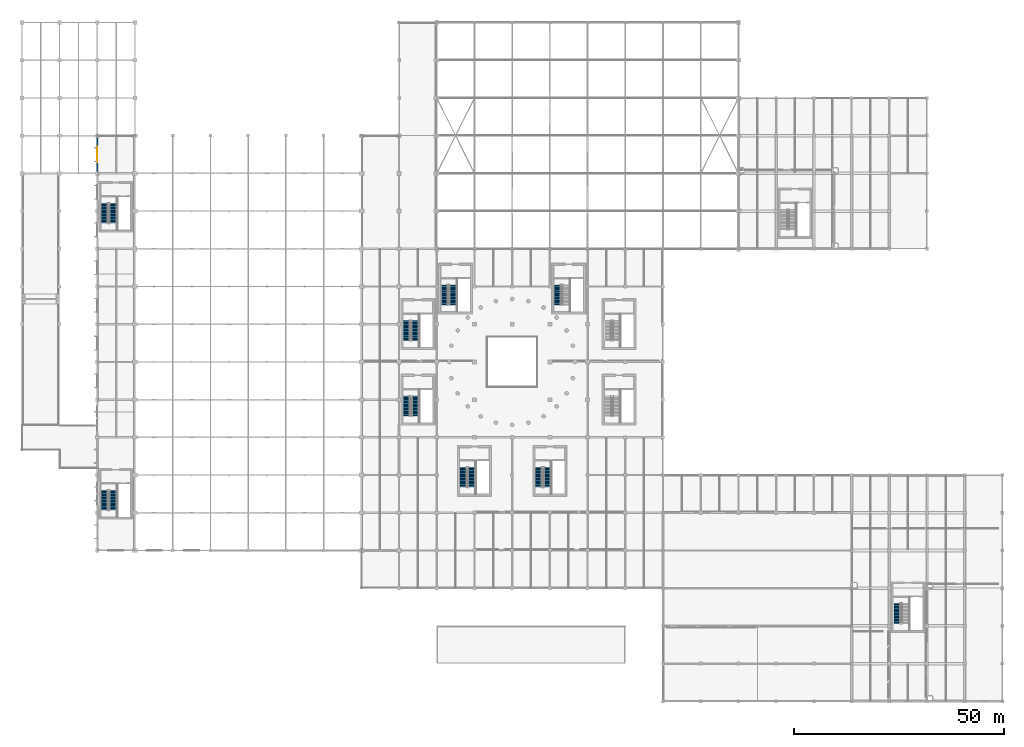
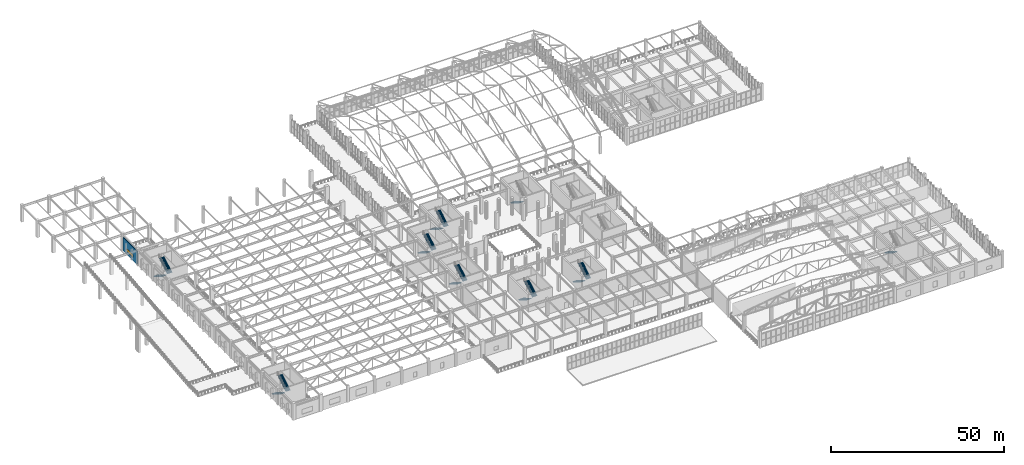
# One storey, part 195 of 223: 16 stair flights, 1 wall, 1 window, 1 opening, 9 elements without a shape of their own.
"""IFC4 building model written with IfcOpenShell, lengths in metres."""

import ifcopenshell
import ifcopenshell.guid

model = None  # the IFC model being written
_history = None  # IfcOwnerHistory: only IFC2X3 demands one
_inside = {}  # id of a spatial element -> (the spatial element, [elements in it])
_under = {}  # id of a project, library or spatial element -> (it, [spatial elements below it])
_declared = {}  # id of a project -> (the project, [libraries it declares])
_typed = {}  # id of a type object -> (the type object, [elements of that type])
_made_of = {}  # id of a material, layer set ... -> (it, [elements and type objects made of it])


def new_model(schema):
    """Start an empty IFC model of exactly this schema.

    Asked for "IFC4X3", IfcOpenShell would pick the latest addendum, in which some entities
    have other attributes; the version numbers below select the first issue.
    IFC2X3 requires an IfcOwnerHistory on every rooted entity: one is made here for all.
    """
    global model, _history
    if schema == "IFC4X3":
        model = ifcopenshell.file(schema_version=(4, 3, 0, 0))
    else:
        model = ifcopenshell.file(schema=schema)
    _inside.clear()
    _under.clear()
    _declared.clear()
    _typed.clear()
    _made_of.clear()
    _history = None
    if model.schema == "IFC2X3":
        org = make("IfcOrganization", Name="unknown")
        user = make(
            "IfcPersonAndOrganization",
            ThePerson=make("IfcPerson", FamilyName="unknown"),
            TheOrganization=org,
        )
        app = make(
            "IfcApplication",
            ApplicationDeveloper=org,
            Version="unknown",
            ApplicationFullName="unknown",
            ApplicationIdentifier="unknown",
        )
        _history = make(
            "IfcOwnerHistory",
            OwningUser=user,
            OwningApplication=app,
            ChangeAction="ADDED",
            CreationDate=0,
        )
    return model


def make(cls, **values):
    """One entity of the class cls with the attributes given. An attribute that is None is left unset."""
    return model.create_entity(
        cls, **{name: value for name, value in values.items() if value is not None}
    )


def rooted(cls, **values):
    """An entity with a GlobalId (a new one), such as an element, a storey or a relation."""
    return make(cls, GlobalId=ifcopenshell.guid.new(), OwnerHistory=_history, **values)


def si_unit(unit_type, name, prefix=None):
    """IfcSIUnit, for example si_unit("LENGTHUNIT", "METRE", prefix="MILLI")."""
    return make("IfcSIUnit", UnitType=unit_type, Prefix=prefix, Name=name)


def assignment(units):
    """IfcUnitAssignment: the units of a project."""
    return None if units is None else make("IfcUnitAssignment", Units=units)


def point(xyz):
    """IfcCartesianPoint."""
    return None if xyz is None else make("IfcCartesianPoint", Coordinates=xyz)


def direction(xyz):
    """IfcDirection."""
    return None if xyz is None else make("IfcDirection", DirectionRatios=xyz)


def frame(location, z_axis=None, x_axis=None):
    """IfcAxis2Placement3D, a coordinate frame: its origin and axes. An axis left out is left unset."""
    return make(
        "IfcAxis2Placement3D",
        Location=point(location),
        Axis=direction(z_axis),
        RefDirection=direction(x_axis),
    )


def frame_2d(location, x_axis=None):
    """IfcAxis2Placement2D, a coordinate frame in the plane: its origin and x axis."""
    return make(
        "IfcAxis2Placement2D", Location=point(location), RefDirection=direction(x_axis)
    )


def origin():
    """The frame at (0, 0, 0) with its axes left unset."""
    return frame((0.0, 0.0, 0.0))


def place(relative_to, where):
    """IfcLocalPlacement: puts the frame where relative to a parent placement (None: the world)."""
    return make(
        "IfcLocalPlacement", PlacementRelTo=relative_to, RelativePlacement=where
    )


def context(
    kind, dimensions, precision=None, world=None, true_north=None, identifier=None
):
    """IfcGeometricRepresentationContext, for example the 3D "Model" context."""
    return make(
        "IfcGeometricRepresentationContext",
        ContextIdentifier=identifier,
        ContextType=kind,
        CoordinateSpaceDimension=dimensions,
        Precision=precision,
        WorldCoordinateSystem=world,
        TrueNorth=true_north,
    )


def subcontext(parent, identifier, kind, view, scale=None):
    """IfcGeometricRepresentationSubContext, for example "Body" below "Model"."""
    return make(
        "IfcGeometricRepresentationSubContext",
        ContextIdentifier=identifier,
        ContextType=kind,
        ParentContext=parent,
        TargetScale=scale,
        TargetView=view,
    )


def project(units=None, contexts=None):
    """IfcProject with its units and contexts."""
    return rooted(
        "IfcProject",
        Name="project",
        RepresentationContexts=contexts,
        UnitsInContext=assignment(units),
    )


def spatial(cls, under=None, at=None, **own):
    """A site, building, storey or space (cls), placed at a placement, below another one or the project."""
    s = rooted(cls, ObjectPlacement=at, **own)
    if under is not None:
        _under.setdefault(under.id(), (under, []))[1].append(s)
    return s


def polyline(points):
    """IfcPolyline through the points."""
    return make("IfcPolyline", Points=[point(p) for p in points])


def profile(cls, at=None, kind="AREA", **sizes):
    """A parametric profile (cls). Its sizes go by their IFC names, for example OverallWidth=200.0."""
    return make(cls, ProfileType=kind, Position=at, **sizes)


def rectangle(**sizes):
    """IfcRectangleProfileDef."""
    return profile("IfcRectangleProfileDef", **sizes)


def outline(outer, holes=None, kind="AREA"):
    """IfcArbitraryClosedProfileDef: a profile drawn as a closed curve; with holes, ...WithVoids."""
    if holes is None:
        return make("IfcArbitraryClosedProfileDef", ProfileType=kind, OuterCurve=outer)
    return make(
        "IfcArbitraryProfileDefWithVoids",
        ProfileType=kind,
        OuterCurve=outer,
        InnerCurves=holes,
    )


def extrude(swept, where, along, depth):
    """IfcExtrudedAreaSolid: the profile swept, set in the frame where, extruded along a direction by depth."""
    return make(
        "IfcExtrudedAreaSolid",
        SweptArea=swept,
        Position=where,
        ExtrudedDirection=direction(along),
        Depth=depth,
    )


def shape(context_of_items, identifier, shape_type, items):
    """IfcShapeRepresentation: the items that make up one representation, for example the "Body"."""
    return make(
        "IfcShapeRepresentation",
        ContextOfItems=context_of_items,
        RepresentationIdentifier=identifier,
        RepresentationType=shape_type,
        Items=items,
    )


def material(Name=None, Category=None):
    """IfcMaterial."""
    return make("IfcMaterial", Name=Name, Category=Category)


def layer(
    of_material, thickness, ventilated=None, Name=None, Category=None, Priority=None
):
    """IfcMaterialLayer: one layer of a wall or slab, of a material (None: an air gap)."""
    return make(
        "IfcMaterialLayer",
        Material=of_material,
        LayerThickness=thickness,
        IsVentilated=ventilated,
        Name=Name,
        Category=Category,
        Priority=Priority,
    )


def layer_set(layers, Name=None):
    """IfcMaterialLayerSet."""
    return make("IfcMaterialLayerSet", MaterialLayers=layers, LayerSetName=Name)


def made_of(thing, what):
    """Note that an element or type object is made of a material, layer set ...; save() writes the relation."""
    if what is not None:
        _made_of.setdefault(what.id(), (what, []))[1].append(thing)
    return thing


def type_object(cls, material=None, **own):
    """A type object (cls), such as IfcWallType, which elements share."""
    return made_of(rooted(cls, **own), material)


def element(
    cls,
    number,
    at=None,
    inside=None,
    cuts=None,
    type_object=None,
    material=None,
    context=None,
    identifier="Body",
    shape_type=None,
    held_by="IfcProductDefinitionShape",
    body=None,
    shapes=None,
    **own,
):
    """One element of the class cls, such as IfcWall. Its Tag is "e" and its number.

    at: its placement. inside: the storey or other place that contains it. cuts: it is an
    opening in that element (IfcRelVoidsElement). A single representation is given by context,
    identifier, shape_type and body (its items); several are given by shapes. held_by: the class
    of the entity that holds the representations. save() writes the other relations.
    """
    e = rooted(cls, Tag="e%d" % number, ObjectPlacement=at, **own)
    if body is not None:
        shapes = [shape(context, identifier, shape_type, body)]
    if shapes is not None:
        e.Representation = make(held_by, Representations=shapes)
    if inside is not None:
        _inside.setdefault(inside.id(), (inside, []))[1].append(e)
    if cuts is not None:
        rooted(
            "IfcRelVoidsElement", RelatingBuildingElement=cuts, RelatedOpeningElement=e
        )
    if type_object is not None:
        _typed.setdefault(type_object.id(), (type_object, []))[1].append(e)
    return made_of(e, material)


def fill(opening, filler):
    """IfcRelFillsElement: the door or window that sits in an opening."""
    return rooted(
        "IfcRelFillsElement",
        RelatingOpeningElement=opening,
        RelatedBuildingElement=filler,
    )


def aggregate(whole, parts):
    """IfcRelAggregates: a whole, such as a stair, and the parts it consists of."""
    return rooted("IfcRelAggregates", RelatingObject=whole, RelatedObjects=parts)


def save(model, path):
    """Write the relations noted so far, then the file.

    IfcRelAggregates (storeys below a building ...), IfcRelContainedInSpatialStructure (elements
    in a storey), IfcRelDefinesByType, IfcRelAssociatesMaterial and IfcRelDeclares: one each for
    every whole, place, type object, material and project.
    """
    for whole, parts in _under.values():
        aggregate(whole, parts)
    for where, things in _inside.values():
        rooted(
            "IfcRelContainedInSpatialStructure",
            RelatedElements=things,
            RelatingStructure=where,
        )
    for kind, things in _typed.values():
        rooted("IfcRelDefinesByType", RelatedObjects=things, RelatingType=kind)
    for what, things in _made_of.values():
        rooted("IfcRelAssociatesMaterial", RelatedObjects=things, RelatingMaterial=what)
    for by, libraries in _declared.values():
        rooted("IfcRelDeclares", RelatingContext=by, RelatedDefinitions=libraries)
    model.write(path)


model = new_model("IFC4")

# Units and contexts
model_context = context("Model", 3, precision=1e-05, world=origin(), true_north=direction((0.0, 1.0)))
body_context = subcontext(model_context, "Body", "Model", "MODEL_VIEW")
ifc_project = project(units=[si_unit("LENGTHUNIT", "METRE"), si_unit("AREAUNIT", "SQUARE_METRE"), si_unit("VOLUMEUNIT", "CUBIC_METRE"), si_unit("PLANEANGLEUNIT", "RADIAN"), si_unit("MASSUNIT", "GRAM", prefix="KILO")], contexts=[model_context])

# Site, building, storey
site_placement = place(None, origin())
site = spatial("IfcSite", under=ifc_project, at=site_placement, CompositionType="ELEMENT")
building_placement = place(site_placement, origin())
building = spatial("IfcBuilding", under=site, at=building_placement, Name="Dornveld Trade and Exhibition Forum", CompositionType="ELEMENT")
storey_placement = place(building_placement, frame((0.0, 0.0, 6.0)))
storey = spatial("IfcBuildingStorey", under=building, at=storey_placement, Name="L01", CompositionType="ELEMENT", Elevation=6.0)

# Wall, opening, window
ifc_material_1 = material(Name="Precast concrete C50/60", Category="concrete")
ifc_layer_1 = layer(ifc_material_1, 0.340087890625)
ifc_layer_set_1 = layer_set([ifc_layer_1], Name="Precast concrete C50/60")
wall_type = type_object("IfcWallType", Name="WL-EXT-PC340", PredefinedType="SOLIDWALL", material=ifc_layer_set_1)
wall_placement = place(storey_placement, frame((18.0, 134.550537109375, 0.0), z_axis=(0.0, 0.0, 1.0), x_axis=(0.0, -1.0, 0.0)))
wall = element("IfcWall", 1, at=wall_placement, inside=storey, type_object=wall_type, Name="L01 precast facade wall 77", PredefinedType="SOLIDWALL", context=body_context, shape_type="SweptSolid", body=[
    extrude(rectangle(XDim=8.10107421875, YDim=0.340087890625, at=frame_2d((4.050537109375, 0.0))), origin(), (0.0, 0.0, 1.0), 4.659912109375),
])
opening_placement = place(wall_placement, frame((2.25048828125, 0.0, 1.0)))
opening = element("IfcOpeningElement", 2, at=opening_placement, cuts=wall, Name="Opening W-57", PredefinedType="OPENING", context=body_context, shape_type="SweptSolid", body=[
    extrude(rectangle(XDim=3.60009765625, YDim=1.10009765625, at=frame_2d((1.800048828125, 0.550048828125))), frame((0.0, 0.179931640625, 0.0), z_axis=(0.0, -1.0, 0.0), x_axis=(1.0, 0.0, 0.0)), (0.0, 0.0, 1.0), 0.360107421875),
])
ifc_material_2 = material(Name="Dark-bronze anodised aluminium and low-E glass", Category="aluminium")
window_type = type_object("IfcWindowType", Name="WIN-AL-57", PartitioningType="DOUBLE_PANEL_VERTICAL", PredefinedType="WINDOW", material=ifc_material_2)
window_placement = place(opening_placement, origin())
window = element("IfcWindow", 3, at=window_placement, inside=storey, type_object=window_type, Name="L01 facade window 57", OverallHeight=1.10009765625, OverallWidth=3.60009765625, PartitioningType="SINGLE_PANEL", PredefinedType="WINDOW", context=body_context, shape_type="SweptSolid", body=[
    extrude(rectangle(XDim=3.60009765625, YDim=1.10009765625, at=frame_2d((1.800048828125, 0.550048828125))), frame((0.0, 0.030029296875, 0.0), z_axis=(0.0, -1.0, 0.0), x_axis=(1.0, 0.0, 0.0)), (0.0, 0.0, 1.0), 0.06005859375),
])
fill(opening, window)

# Stair, stair flights
ifc_material_3 = material(Name="Concrete C40/50", Category="concrete")
stair_type_1 = type_object("IfcStairType", Name="ST-2RET-600A", PredefinedType="HALF_TURN_STAIR", material=ifc_material_3)
stair_1_placement = place(storey_placement, origin())
stair_1 = element("IfcStair", 4, at=stair_1_placement, inside=storey, type_object=stair_type_1, Name="CORE-03 escape stair L01 to L02", PredefinedType="HALF_TURN_STAIR")
ifc_material_4 = material(Name="Concrete C40/50", Category="concrete")
ifc_layer_2 = layer(ifc_material_4, 0.179931640625)
ifc_layer_set_2 = layer_set([ifc_layer_2], Name="Concrete C40/50")
stair_flight_type_1 = type_object("IfcStairFlightType", Name="STF-155", PredefinedType="STRAIGHT", material=ifc_layer_set_2)
stair_flight_1_placement = place(storey_placement, frame((100.8798828125, 99.35009765625, 0.0), z_axis=(0.0, 0.0, 1.0), x_axis=(0.0, -1.0, 0.0)))
stair_flight_1 = element("IfcStairFlight", 5, at=stair_flight_1_placement, type_object=stair_flight_type_1, Name="ST-03-L01 flight 1", NumberOfRisers=18, NumberOfTreads=17, PredefinedType="STRAIGHT", RiserHeight=0.166666667, TreadLength=0.28, context=body_context, shape_type="SweptSolid", body=[
    extrude(outline(polyline([(0.0, 0.0), (0.0, 0.166748046875), (0.280029296875, 0.166748046875), (0.280029296875, 0.333251953125), (0.56005859375, 0.333251953125), (0.56005859375, 0.5), (0.840087890625, 0.5), (0.840087890625, 0.666748046875), (1.1201171875, 0.666748046875), (1.1201171875, 0.833251953125), (1.39990234375, 0.833251953125), (1.39990234375, 1.0), (1.679931640625, 1.0), (1.679931640625, 1.166748046875), (1.9599609375, 1.166748046875), (1.9599609375, 1.333251953125), (2.239990234375, 1.333251953125), (2.239990234375, 1.5), (2.52001953125, 1.5), (2.52001953125, 1.666748046875), (2.800048828125, 1.666748046875), (2.800048828125, 1.833251953125), (3.080078125, 1.833251953125), (3.080078125, 2.0), (3.360107421875, 2.0), (3.360107421875, 2.166748046875), (3.639892578125, 2.166748046875), (3.639892578125, 2.333251953125), (3.919921875, 2.333251953125), (3.919921875, 2.5), (4.199951171875, 2.5), (4.199951171875, 2.666748046875), (4.47998046875, 2.666748046875), (4.47998046875, 2.833251953125), (4.760009765625, 2.833251953125), (4.760009765625, 3.0), (4.760009765625, 2.647216796875), (0.312744140625, 0.0), (0.0, 0.0)])), frame((0.0, 0.77490234375, 0.0), z_axis=(0.0, -1.0, 0.0), x_axis=(1.0, 0.0, 0.0)), (0.0, 0.0, 1.0), 1.550048828125),
])
stair_flight_2_placement = place(storey_placement, frame((102.820068359375, 94.590087890625, 3.0), z_axis=(0.0, 0.0, 1.0), x_axis=(0.0, 1.0, 0.0)))
stair_flight_2 = element("IfcStairFlight", 6, at=stair_flight_2_placement, type_object=stair_flight_type_1, Name="ST-03-L01 flight 2", NumberOfRisers=18, NumberOfTreads=17, PredefinedType="STRAIGHT", RiserHeight=0.166666667, TreadLength=0.28, context=body_context, shape_type="SweptSolid", body=[
    extrude(outline(polyline([(0.0, 0.0), (0.0, 0.166748046875), (0.280029296875, 0.166748046875), (0.280029296875, 0.333251953125), (0.56005859375, 0.333251953125), (0.56005859375, 0.5), (0.840087890625, 0.5), (0.840087890625, 0.666748046875), (1.1201171875, 0.666748046875), (1.1201171875, 0.833251953125), (1.39990234375, 0.833251953125), (1.39990234375, 1.0), (1.679931640625, 1.0), (1.679931640625, 1.166748046875), (1.9599609375, 1.166748046875), (1.9599609375, 1.333251953125), (2.239990234375, 1.333251953125), (2.239990234375, 1.5), (2.52001953125, 1.5), (2.52001953125, 1.666748046875), (2.800048828125, 1.666748046875), (2.800048828125, 1.833251953125), (3.080078125, 1.833251953125), (3.080078125, 2.0), (3.360107421875, 2.0), (3.360107421875, 2.166748046875), (3.639892578125, 2.166748046875), (3.639892578125, 2.333251953125), (3.919921875, 2.333251953125), (3.919921875, 2.5), (4.199951171875, 2.5), (4.199951171875, 2.666748046875), (4.47998046875, 2.666748046875), (4.47998046875, 2.833251953125), (4.760009765625, 2.833251953125), (4.760009765625, 3.0), (4.760009765625, 2.647216796875), (0.312744140625, 0.0), (0.0, 0.0)])), frame((0.0, 0.77490234375, 0.0), z_axis=(0.0, -1.0, 0.0), x_axis=(1.0, 0.0, 0.0)), (0.0, 0.0, 1.0), 1.550048828125),
])
aggregate(stair_1, [stair_flight_1, stair_flight_2])

stair_2_placement = place(storey_placement, origin())
stair_2 = element("IfcStair", 7, at=stair_2_placement, inside=storey, type_object=stair_type_1, Name="CORE-05 escape stair L01 to L02", PredefinedType="HALF_TURN_STAIR")
stair_flight_3_placement = place(storey_placement, frame((91.8798828125, 72.85009765625, 0.0), z_axis=(0.0, 0.0, 1.0), x_axis=(0.0, -1.0, 0.0)))
stair_flight_3 = element("IfcStairFlight", 8, at=stair_flight_3_placement, type_object=stair_flight_type_1, Name="ST-05-L01 flight 1", NumberOfRisers=18, NumberOfTreads=17, PredefinedType="STRAIGHT", RiserHeight=0.166666667, TreadLength=0.28, context=body_context, shape_type="SweptSolid", body=[
    extrude(outline(polyline([(0.0, 0.0), (0.0, 0.166748046875), (0.280029296875, 0.166748046875), (0.280029296875, 0.333251953125), (0.56005859375, 0.333251953125), (0.56005859375, 0.5), (0.840087890625, 0.5), (0.840087890625, 0.666748046875), (1.1201171875, 0.666748046875), (1.1201171875, 0.833251953125), (1.39990234375, 0.833251953125), (1.39990234375, 1.0), (1.679931640625, 1.0), (1.679931640625, 1.166748046875), (1.9599609375, 1.166748046875), (1.9599609375, 1.333251953125), (2.239990234375, 1.333251953125), (2.239990234375, 1.5), (2.52001953125, 1.5), (2.52001953125, 1.666748046875), (2.800048828125, 1.666748046875), (2.800048828125, 1.833251953125), (3.080078125, 1.833251953125), (3.080078125, 2.0), (3.360107421875, 2.0), (3.360107421875, 2.166748046875), (3.639892578125, 2.166748046875), (3.639892578125, 2.333251953125), (3.919921875, 2.333251953125), (3.919921875, 2.5), (4.199951171875, 2.5), (4.199951171875, 2.666748046875), (4.47998046875, 2.666748046875), (4.47998046875, 2.833251953125), (4.760009765625, 2.833251953125), (4.760009765625, 3.0), (4.760009765625, 2.647216796875), (0.312744140625, 0.0), (0.0, 0.0)])), frame((0.0, 0.77490234375, 0.0), z_axis=(0.0, -1.0, 0.0), x_axis=(1.0, 0.0, 0.0)), (0.0, 0.0, 1.0), 1.550048828125),
])
stair_flight_4_placement = place(storey_placement, frame((93.820068359375, 68.090087890625, 3.0), z_axis=(0.0, 0.0, 1.0), x_axis=(0.0, 1.0, 0.0)))
stair_flight_4 = element("IfcStairFlight", 9, at=stair_flight_4_placement, type_object=stair_flight_type_1, Name="ST-05-L01 flight 2", NumberOfRisers=18, NumberOfTreads=17, PredefinedType="STRAIGHT", RiserHeight=0.166666667, TreadLength=0.28, context=body_context, shape_type="SweptSolid", body=[
    extrude(outline(polyline([(0.0, 0.0), (0.0, 0.166748046875), (0.280029296875, 0.166748046875), (0.280029296875, 0.333251953125), (0.56005859375, 0.333251953125), (0.56005859375, 0.5), (0.840087890625, 0.5), (0.840087890625, 0.666748046875), (1.1201171875, 0.666748046875), (1.1201171875, 0.833251953125), (1.39990234375, 0.833251953125), (1.39990234375, 1.0), (1.679931640625, 1.0), (1.679931640625, 1.166748046875), (1.9599609375, 1.166748046875), (1.9599609375, 1.333251953125), (2.239990234375, 1.333251953125), (2.239990234375, 1.5), (2.52001953125, 1.5), (2.52001953125, 1.666748046875), (2.800048828125, 1.666748046875), (2.800048828125, 1.833251953125), (3.080078125, 1.833251953125), (3.080078125, 2.0), (3.360107421875, 2.0), (3.360107421875, 2.166748046875), (3.639892578125, 2.166748046875), (3.639892578125, 2.333251953125), (3.919921875, 2.333251953125), (3.919921875, 2.5), (4.199951171875, 2.5), (4.199951171875, 2.666748046875), (4.47998046875, 2.666748046875), (4.47998046875, 2.833251953125), (4.760009765625, 2.833251953125), (4.760009765625, 3.0), (4.760009765625, 2.647216796875), (0.312744140625, 0.0), (0.0, 0.0)])), frame((0.0, 0.77490234375, 0.0), z_axis=(0.0, -1.0, 0.0), x_axis=(1.0, 0.0, 0.0)), (0.0, 0.0, 1.0), 1.550048828125),
])
aggregate(stair_2, [stair_flight_3, stair_flight_4])

stair_3_placement = place(storey_placement, origin())
stair_3 = element("IfcStair", 10, at=stair_3_placement, inside=storey, type_object=stair_type_1, Name="CORE-07 escape stair L01 to L02", PredefinedType="HALF_TURN_STAIR")
stair_flight_5_placement = place(storey_placement, frame((123.3798828125, 55.85009765625, 0.0), z_axis=(0.0, 0.0, 1.0), x_axis=(0.0, -1.0, 0.0)))
stair_flight_5 = element("IfcStairFlight", 11, at=stair_flight_5_placement, type_object=stair_flight_type_1, Name="ST-07-L01 flight 1", NumberOfRisers=18, NumberOfTreads=17, PredefinedType="STRAIGHT", RiserHeight=0.166666667, TreadLength=0.28, context=body_context, shape_type="SweptSolid", body=[
    extrude(outline(polyline([(0.0, 0.0), (0.0, 0.166748046875), (0.280029296875, 0.166748046875), (0.280029296875, 0.333251953125), (0.56005859375, 0.333251953125), (0.56005859375, 0.5), (0.840087890625, 0.5), (0.840087890625, 0.666748046875), (1.1201171875, 0.666748046875), (1.1201171875, 0.833251953125), (1.39990234375, 0.833251953125), (1.39990234375, 1.0), (1.679931640625, 1.0), (1.679931640625, 1.166748046875), (1.9599609375, 1.166748046875), (1.9599609375, 1.333251953125), (2.239990234375, 1.333251953125), (2.239990234375, 1.5), (2.52001953125, 1.5), (2.52001953125, 1.666748046875), (2.800048828125, 1.666748046875), (2.800048828125, 1.833251953125), (3.080078125, 1.833251953125), (3.080078125, 2.0), (3.360107421875, 2.0), (3.360107421875, 2.166748046875), (3.639892578125, 2.166748046875), (3.639892578125, 2.333251953125), (3.919921875, 2.333251953125), (3.919921875, 2.5), (4.199951171875, 2.5), (4.199951171875, 2.666748046875), (4.47998046875, 2.666748046875), (4.47998046875, 2.833251953125), (4.760009765625, 2.833251953125), (4.760009765625, 3.0), (4.760009765625, 2.647216796875), (0.312744140625, 0.0), (0.0, 0.0)])), frame((0.0, 0.77490234375, 0.0), z_axis=(0.0, -1.0, 0.0), x_axis=(1.0, 0.0, 0.0)), (0.0, 0.0, 1.0), 1.550048828125),
])
stair_flight_6_placement = place(storey_placement, frame((125.320068359375, 51.090087890625, 3.0), z_axis=(0.0, 0.0, 1.0), x_axis=(0.0, 1.0, 0.0)))
stair_flight_6 = element("IfcStairFlight", 12, at=stair_flight_6_placement, type_object=stair_flight_type_1, Name="ST-07-L01 flight 2", NumberOfRisers=18, NumberOfTreads=17, PredefinedType="STRAIGHT", RiserHeight=0.166666667, TreadLength=0.28, context=body_context, shape_type="SweptSolid", body=[
    extrude(outline(polyline([(0.0, 0.0), (0.0, 0.166748046875), (0.280029296875, 0.166748046875), (0.280029296875, 0.333251953125), (0.56005859375, 0.333251953125), (0.56005859375, 0.5), (0.840087890625, 0.5), (0.840087890625, 0.666748046875), (1.1201171875, 0.666748046875), (1.1201171875, 0.833251953125), (1.39990234375, 0.833251953125), (1.39990234375, 1.0), (1.679931640625, 1.0), (1.679931640625, 1.166748046875), (1.9599609375, 1.166748046875), (1.9599609375, 1.333251953125), (2.239990234375, 1.333251953125), (2.239990234375, 1.5), (2.52001953125, 1.5), (2.52001953125, 1.666748046875), (2.800048828125, 1.666748046875), (2.800048828125, 1.833251953125), (3.080078125, 1.833251953125), (3.080078125, 2.0), (3.360107421875, 2.0), (3.360107421875, 2.166748046875), (3.639892578125, 2.166748046875), (3.639892578125, 2.333251953125), (3.919921875, 2.333251953125), (3.919921875, 2.5), (4.199951171875, 2.5), (4.199951171875, 2.666748046875), (4.47998046875, 2.666748046875), (4.47998046875, 2.833251953125), (4.760009765625, 2.833251953125), (4.760009765625, 3.0), (4.760009765625, 2.647216796875), (0.312744140625, 0.0), (0.0, 0.0)])), frame((0.0, 0.77490234375, 0.0), z_axis=(0.0, -1.0, 0.0), x_axis=(1.0, 0.0, 0.0)), (0.0, 0.0, 1.0), 1.550048828125),
])
aggregate(stair_3, [stair_flight_5, stair_flight_6])

stair_4_placement = place(storey_placement, origin())
stair_4 = element("IfcStair", 13, at=stair_4_placement, inside=storey, type_object=stair_type_1, Name="CORE-09 escape stair L01 to L02", PredefinedType="HALF_TURN_STAIR")
stair_flight_7_placement = place(storey_placement, frame((19.780029296875, 50.35009765625, 0.0), z_axis=(0.0, 0.0, 1.0), x_axis=(0.0, -1.0, 0.0)))
stair_flight_7 = element("IfcStairFlight", 14, at=stair_flight_7_placement, type_object=stair_flight_type_1, Name="ST-09-L01 flight 1", NumberOfRisers=18, NumberOfTreads=17, PredefinedType="STRAIGHT", RiserHeight=0.166666667, TreadLength=0.28, context=body_context, shape_type="SweptSolid", body=[
    extrude(outline(polyline([(0.0, 0.0), (0.0, 0.166748046875), (0.280029296875, 0.166748046875), (0.280029296875, 0.333251953125), (0.56005859375, 0.333251953125), (0.56005859375, 0.5), (0.840087890625, 0.5), (0.840087890625, 0.666748046875), (1.1201171875, 0.666748046875), (1.1201171875, 0.833251953125), (1.39990234375, 0.833251953125), (1.39990234375, 1.0), (1.679931640625, 1.0), (1.679931640625, 1.166748046875), (1.9599609375, 1.166748046875), (1.9599609375, 1.333251953125), (2.239990234375, 1.333251953125), (2.239990234375, 1.5), (2.52001953125, 1.5), (2.52001953125, 1.666748046875), (2.800048828125, 1.666748046875), (2.800048828125, 1.833251953125), (3.080078125, 1.833251953125), (3.080078125, 2.0), (3.360107421875, 2.0), (3.360107421875, 2.166748046875), (3.639892578125, 2.166748046875), (3.639892578125, 2.333251953125), (3.919921875, 2.333251953125), (3.919921875, 2.5), (4.199951171875, 2.5), (4.199951171875, 2.666748046875), (4.47998046875, 2.666748046875), (4.47998046875, 2.833251953125), (4.760009765625, 2.833251953125), (4.760009765625, 3.0), (4.760009765625, 2.647216796875), (0.312744140625, 0.0), (0.0, 0.0)])), frame((0.0, 0.77490234375, 0.0), z_axis=(0.0, -1.0, 0.0), x_axis=(1.0, 0.0, 0.0)), (0.0, 0.0, 1.0), 1.550048828125),
])
stair_flight_8_placement = place(storey_placement, frame((21.719970703125, 45.590087890625, 3.0), z_axis=(0.0, 0.0, 1.0), x_axis=(0.0, 1.0, 0.0)))
stair_flight_8 = element("IfcStairFlight", 15, at=stair_flight_8_placement, type_object=stair_flight_type_1, Name="ST-09-L01 flight 2", NumberOfRisers=18, NumberOfTreads=17, PredefinedType="STRAIGHT", RiserHeight=0.166666667, TreadLength=0.28, context=body_context, shape_type="SweptSolid", body=[
    extrude(outline(polyline([(0.0, 0.0), (0.0, 0.166748046875), (0.280029296875, 0.166748046875), (0.280029296875, 0.333251953125), (0.56005859375, 0.333251953125), (0.56005859375, 0.5), (0.840087890625, 0.5), (0.840087890625, 0.666748046875), (1.1201171875, 0.666748046875), (1.1201171875, 0.833251953125), (1.39990234375, 0.833251953125), (1.39990234375, 1.0), (1.679931640625, 1.0), (1.679931640625, 1.166748046875), (1.9599609375, 1.166748046875), (1.9599609375, 1.333251953125), (2.239990234375, 1.333251953125), (2.239990234375, 1.5), (2.52001953125, 1.5), (2.52001953125, 1.666748046875), (2.800048828125, 1.666748046875), (2.800048828125, 1.833251953125), (3.080078125, 1.833251953125), (3.080078125, 2.0), (3.360107421875, 2.0), (3.360107421875, 2.166748046875), (3.639892578125, 2.166748046875), (3.639892578125, 2.333251953125), (3.919921875, 2.333251953125), (3.919921875, 2.5), (4.199951171875, 2.5), (4.199951171875, 2.666748046875), (4.47998046875, 2.666748046875), (4.47998046875, 2.833251953125), (4.760009765625, 2.833251953125), (4.760009765625, 3.0), (4.760009765625, 2.647216796875), (0.312744140625, 0.0), (0.0, 0.0)])), frame((0.0, 0.77490234375, 0.0), z_axis=(0.0, -1.0, 0.0), x_axis=(1.0, 0.0, 0.0)), (0.0, 0.0, 1.0), 1.550048828125),
])
aggregate(stair_4, [stair_flight_7, stair_flight_8])

# Stair, stair flight
stair_5_placement = place(storey_placement, origin())
stair_5 = element("IfcStair", 16, at=stair_5_placement, inside=storey, type_object=stair_type_1, Name="CORE-11 escape stair L01 to L02", PredefinedType="HALF_TURN_STAIR")
stair_flight_9_placement = place(storey_placement, frame((208.8798828125, 23.35009765625, 0.0), z_axis=(0.0, 0.0, 1.0), x_axis=(0.0, -1.0, 0.0)))
stair_flight_9 = element("IfcStairFlight", 17, at=stair_flight_9_placement, type_object=stair_flight_type_1, Name="ST-11-L01 flight 1", NumberOfRisers=18, NumberOfTreads=17, PredefinedType="STRAIGHT", RiserHeight=0.166666667, TreadLength=0.28, context=body_context, shape_type="SweptSolid", body=[
    extrude(outline(polyline([(0.0, 0.0), (0.0, 0.166748046875), (0.280029296875, 0.166748046875), (0.280029296875, 0.333251953125), (0.56005859375, 0.333251953125), (0.56005859375, 0.5), (0.840087890625, 0.5), (0.840087890625, 0.666748046875), (1.1201171875, 0.666748046875), (1.1201171875, 0.833251953125), (1.39990234375, 0.833251953125), (1.39990234375, 1.0), (1.679931640625, 1.0), (1.679931640625, 1.166748046875), (1.9599609375, 1.166748046875), (1.9599609375, 1.333251953125), (2.239990234375, 1.333251953125), (2.239990234375, 1.5), (2.52001953125, 1.5), (2.52001953125, 1.666748046875), (2.800048828125, 1.666748046875), (2.800048828125, 1.833251953125), (3.080078125, 1.833251953125), (3.080078125, 2.0), (3.360107421875, 2.0), (3.360107421875, 2.166748046875), (3.639892578125, 2.166748046875), (3.639892578125, 2.333251953125), (3.919921875, 2.333251953125), (3.919921875, 2.5), (4.199951171875, 2.5), (4.199951171875, 2.666748046875), (4.47998046875, 2.666748046875), (4.47998046875, 2.833251953125), (4.760009765625, 2.833251953125), (4.760009765625, 3.0), (4.760009765625, 2.647216796875), (0.312744140625, 0.0), (0.0, 0.0)])), frame((0.0, 0.77490234375, 0.0), z_axis=(0.0, -1.0, 0.0), x_axis=(1.0, 0.0, 0.0)), (0.0, 0.0, 1.0), 1.550048828125),
])
aggregate(stair_5, [stair_flight_9])

ifc_material_5 = material(Name="Concrete C40/50", Category="concrete")
stair_type_2 = type_object("IfcStairType", Name="ST-2RET-600B", PredefinedType="HALF_TURN_STAIR", material=ifc_material_5)
stair_6_placement = place(storey_placement, origin())
stair_6 = element("IfcStair", 18, at=stair_6_placement, inside=storey, type_object=stair_type_2, Name="CORE-02 escape stair L01 to L02", PredefinedType="HALF_TURN_STAIR")
ifc_material_6 = material(Name="Concrete C40/50", Category="concrete")
ifc_layer_3 = layer(ifc_material_6, 0.179931640625)
ifc_layer_set_3 = layer_set([ifc_layer_3], Name="Concrete C40/50")
stair_flight_type_2 = type_object("IfcStairFlightType", Name="STF-162", PredefinedType="STRAIGHT", material=ifc_layer_set_3)
stair_flight_10_placement = place(storey_placement, frame((127.8798828125, 99.35009765625, 0.0), z_axis=(0.0, 0.0, 1.0), x_axis=(0.0, -1.0, 0.0)))
stair_flight_10 = element("IfcStairFlight", 19, at=stair_flight_10_placement, type_object=stair_flight_type_2, Name="ST-02-L01 flight 1", NumberOfRisers=18, NumberOfTreads=17, PredefinedType="STRAIGHT", RiserHeight=0.166666667, TreadLength=0.28, context=body_context, shape_type="SweptSolid", body=[
    extrude(outline(polyline([(0.0, 0.0), (0.0, 0.166748046875), (0.280029296875, 0.166748046875), (0.280029296875, 0.333251953125), (0.56005859375, 0.333251953125), (0.56005859375, 0.5), (0.840087890625, 0.5), (0.840087890625, 0.666748046875), (1.1201171875, 0.666748046875), (1.1201171875, 0.833251953125), (1.39990234375, 0.833251953125), (1.39990234375, 1.0), (1.679931640625, 1.0), (1.679931640625, 1.166748046875), (1.9599609375, 1.166748046875), (1.9599609375, 1.333251953125), (2.239990234375, 1.333251953125), (2.239990234375, 1.5), (2.52001953125, 1.5), (2.52001953125, 1.666748046875), (2.800048828125, 1.666748046875), (2.800048828125, 1.833251953125), (3.080078125, 1.833251953125), (3.080078125, 2.0), (3.360107421875, 2.0), (3.360107421875, 2.166748046875), (3.639892578125, 2.166748046875), (3.639892578125, 2.333251953125), (3.919921875, 2.333251953125), (3.919921875, 2.5), (4.199951171875, 2.5), (4.199951171875, 2.666748046875), (4.47998046875, 2.666748046875), (4.47998046875, 2.833251953125), (4.760009765625, 2.833251953125), (4.760009765625, 3.0), (4.760009765625, 2.647216796875), (0.312744140625, 0.0), (0.0, 0.0)])), frame((0.0, 0.81005859375, 0.0), z_axis=(0.0, -1.0, 0.0), x_axis=(1.0, 0.0, 0.0)), (0.0, 0.0, 1.0), 1.6201171875),
])
aggregate(stair_6, [stair_flight_10])

# Stair, stair flights
stair_7_placement = place(storey_placement, origin())
stair_7 = element("IfcStair", 20, at=stair_7_placement, inside=storey, type_object=stair_type_2, Name="CORE-04 escape stair L01 to L02", PredefinedType="HALF_TURN_STAIR")
stair_flight_11_placement = place(storey_placement, frame((91.8798828125, 90.85009765625, 0.0), z_axis=(0.0, 0.0, 1.0), x_axis=(0.0, -1.0, 0.0)))
stair_flight_11 = element("IfcStairFlight", 21, at=stair_flight_11_placement, type_object=stair_flight_type_2, Name="ST-04-L01 flight 1", NumberOfRisers=18, NumberOfTreads=17, PredefinedType="STRAIGHT", RiserHeight=0.166666667, TreadLength=0.28, context=body_context, shape_type="SweptSolid", body=[
    extrude(outline(polyline([(0.0, 0.0), (0.0, 0.166748046875), (0.280029296875, 0.166748046875), (0.280029296875, 0.333251953125), (0.56005859375, 0.333251953125), (0.56005859375, 0.5), (0.840087890625, 0.5), (0.840087890625, 0.666748046875), (1.1201171875, 0.666748046875), (1.1201171875, 0.833251953125), (1.39990234375, 0.833251953125), (1.39990234375, 1.0), (1.679931640625, 1.0), (1.679931640625, 1.166748046875), (1.9599609375, 1.166748046875), (1.9599609375, 1.333251953125), (2.239990234375, 1.333251953125), (2.239990234375, 1.5), (2.52001953125, 1.5), (2.52001953125, 1.666748046875), (2.800048828125, 1.666748046875), (2.800048828125, 1.833251953125), (3.080078125, 1.833251953125), (3.080078125, 2.0), (3.360107421875, 2.0), (3.360107421875, 2.166748046875), (3.639892578125, 2.166748046875), (3.639892578125, 2.333251953125), (3.919921875, 2.333251953125), (3.919921875, 2.5), (4.199951171875, 2.5), (4.199951171875, 2.666748046875), (4.47998046875, 2.666748046875), (4.47998046875, 2.833251953125), (4.760009765625, 2.833251953125), (4.760009765625, 3.0), (4.760009765625, 2.647216796875), (0.312744140625, 0.0), (0.0, 0.0)])), frame((0.0, 0.81005859375, 0.0), z_axis=(0.0, -1.0, 0.0), x_axis=(1.0, 0.0, 0.0)), (0.0, 0.0, 1.0), 1.6201171875),
])
stair_flight_12_placement = place(storey_placement, frame((93.820068359375, 86.090087890625, 3.0), z_axis=(0.0, 0.0, 1.0), x_axis=(0.0, 1.0, 0.0)))
stair_flight_12 = element("IfcStairFlight", 22, at=stair_flight_12_placement, type_object=stair_flight_type_2, Name="ST-04-L01 flight 2", NumberOfRisers=18, NumberOfTreads=17, PredefinedType="STRAIGHT", RiserHeight=0.166666667, TreadLength=0.28, context=body_context, shape_type="SweptSolid", body=[
    extrude(outline(polyline([(0.0, 0.0), (0.0, 0.166748046875), (0.280029296875, 0.166748046875), (0.280029296875, 0.333251953125), (0.56005859375, 0.333251953125), (0.56005859375, 0.5), (0.840087890625, 0.5), (0.840087890625, 0.666748046875), (1.1201171875, 0.666748046875), (1.1201171875, 0.833251953125), (1.39990234375, 0.833251953125), (1.39990234375, 1.0), (1.679931640625, 1.0), (1.679931640625, 1.166748046875), (1.9599609375, 1.166748046875), (1.9599609375, 1.333251953125), (2.239990234375, 1.333251953125), (2.239990234375, 1.5), (2.52001953125, 1.5), (2.52001953125, 1.666748046875), (2.800048828125, 1.666748046875), (2.800048828125, 1.833251953125), (3.080078125, 1.833251953125), (3.080078125, 2.0), (3.360107421875, 2.0), (3.360107421875, 2.166748046875), (3.639892578125, 2.166748046875), (3.639892578125, 2.333251953125), (3.919921875, 2.333251953125), (3.919921875, 2.5), (4.199951171875, 2.5), (4.199951171875, 2.666748046875), (4.47998046875, 2.666748046875), (4.47998046875, 2.833251953125), (4.760009765625, 2.833251953125), (4.760009765625, 3.0), (4.760009765625, 2.647216796875), (0.312744140625, 0.0), (0.0, 0.0)])), frame((0.0, 0.81005859375, 0.0), z_axis=(0.0, -1.0, 0.0), x_axis=(1.0, 0.0, 0.0)), (0.0, 0.0, 1.0), 1.6201171875),
])
aggregate(stair_7, [stair_flight_11, stair_flight_12])

stair_8_placement = place(storey_placement, origin())
stair_8 = element("IfcStair", 23, at=stair_8_placement, inside=storey, type_object=stair_type_2, Name="CORE-06 escape stair L01 to L02", PredefinedType="HALF_TURN_STAIR")
stair_flight_13_placement = place(storey_placement, frame((105.3798828125, 55.85009765625, 0.0), z_axis=(0.0, 0.0, 1.0), x_axis=(0.0, -1.0, 0.0)))
stair_flight_13 = element("IfcStairFlight", 24, at=stair_flight_13_placement, type_object=stair_flight_type_2, Name="ST-06-L01 flight 1", NumberOfRisers=18, NumberOfTreads=17, PredefinedType="STRAIGHT", RiserHeight=0.166666667, TreadLength=0.28, context=body_context, shape_type="SweptSolid", body=[
    extrude(outline(polyline([(0.0, 0.0), (0.0, 0.166748046875), (0.280029296875, 0.166748046875), (0.280029296875, 0.333251953125), (0.56005859375, 0.333251953125), (0.56005859375, 0.5), (0.840087890625, 0.5), (0.840087890625, 0.666748046875), (1.1201171875, 0.666748046875), (1.1201171875, 0.833251953125), (1.39990234375, 0.833251953125), (1.39990234375, 1.0), (1.679931640625, 1.0), (1.679931640625, 1.166748046875), (1.9599609375, 1.166748046875), (1.9599609375, 1.333251953125), (2.239990234375, 1.333251953125), (2.239990234375, 1.5), (2.52001953125, 1.5), (2.52001953125, 1.666748046875), (2.800048828125, 1.666748046875), (2.800048828125, 1.833251953125), (3.080078125, 1.833251953125), (3.080078125, 2.0), (3.360107421875, 2.0), (3.360107421875, 2.166748046875), (3.639892578125, 2.166748046875), (3.639892578125, 2.333251953125), (3.919921875, 2.333251953125), (3.919921875, 2.5), (4.199951171875, 2.5), (4.199951171875, 2.666748046875), (4.47998046875, 2.666748046875), (4.47998046875, 2.833251953125), (4.760009765625, 2.833251953125), (4.760009765625, 3.0), (4.760009765625, 2.647216796875), (0.312744140625, 0.0), (0.0, 0.0)])), frame((0.0, 0.81005859375, 0.0), z_axis=(0.0, -1.0, 0.0), x_axis=(1.0, 0.0, 0.0)), (0.0, 0.0, 1.0), 1.6201171875),
])
stair_flight_14_placement = place(storey_placement, frame((107.320068359375, 51.090087890625, 3.0), z_axis=(0.0, 0.0, 1.0), x_axis=(0.0, 1.0, 0.0)))
stair_flight_14 = element("IfcStairFlight", 25, at=stair_flight_14_placement, type_object=stair_flight_type_2, Name="ST-06-L01 flight 2", NumberOfRisers=18, NumberOfTreads=17, PredefinedType="STRAIGHT", RiserHeight=0.166666667, TreadLength=0.28, context=body_context, shape_type="SweptSolid", body=[
    extrude(outline(polyline([(0.0, 0.0), (0.0, 0.166748046875), (0.280029296875, 0.166748046875), (0.280029296875, 0.333251953125), (0.56005859375, 0.333251953125), (0.56005859375, 0.5), (0.840087890625, 0.5), (0.840087890625, 0.666748046875), (1.1201171875, 0.666748046875), (1.1201171875, 0.833251953125), (1.39990234375, 0.833251953125), (1.39990234375, 1.0), (1.679931640625, 1.0), (1.679931640625, 1.166748046875), (1.9599609375, 1.166748046875), (1.9599609375, 1.333251953125), (2.239990234375, 1.333251953125), (2.239990234375, 1.5), (2.52001953125, 1.5), (2.52001953125, 1.666748046875), (2.800048828125, 1.666748046875), (2.800048828125, 1.833251953125), (3.080078125, 1.833251953125), (3.080078125, 2.0), (3.360107421875, 2.0), (3.360107421875, 2.166748046875), (3.639892578125, 2.166748046875), (3.639892578125, 2.333251953125), (3.919921875, 2.333251953125), (3.919921875, 2.5), (4.199951171875, 2.5), (4.199951171875, 2.666748046875), (4.47998046875, 2.666748046875), (4.47998046875, 2.833251953125), (4.760009765625, 2.833251953125), (4.760009765625, 3.0), (4.760009765625, 2.647216796875), (0.312744140625, 0.0), (0.0, 0.0)])), frame((0.0, 0.81005859375, 0.0), z_axis=(0.0, -1.0, 0.0), x_axis=(1.0, 0.0, 0.0)), (0.0, 0.0, 1.0), 1.6201171875),
])
aggregate(stair_8, [stair_flight_13, stair_flight_14])

stair_9_placement = place(storey_placement, origin())
stair_9 = element("IfcStair", 26, at=stair_9_placement, inside=storey, type_object=stair_type_2, Name="CORE-10 escape stair L01 to L02", PredefinedType="HALF_TURN_STAIR")
stair_flight_15_placement = place(storey_placement, frame((19.780029296875, 118.85009765625, 0.0), z_axis=(0.0, 0.0, 1.0), x_axis=(0.0, -1.0, 0.0)))
stair_flight_15 = element("IfcStairFlight", 27, at=stair_flight_15_placement, type_object=stair_flight_type_2, Name="ST-10-L01 flight 1", NumberOfRisers=18, NumberOfTreads=17, PredefinedType="STRAIGHT", RiserHeight=0.166666667, TreadLength=0.28, context=body_context, shape_type="SweptSolid", body=[
    extrude(outline(polyline([(0.0, 0.0), (0.0, 0.166748046875), (0.280029296875, 0.166748046875), (0.280029296875, 0.333251953125), (0.56005859375, 0.333251953125), (0.56005859375, 0.5), (0.840087890625, 0.5), (0.840087890625, 0.666748046875), (1.1201171875, 0.666748046875), (1.1201171875, 0.833251953125), (1.39990234375, 0.833251953125), (1.39990234375, 1.0), (1.679931640625, 1.0), (1.679931640625, 1.166748046875), (1.9599609375, 1.166748046875), (1.9599609375, 1.333251953125), (2.239990234375, 1.333251953125), (2.239990234375, 1.5), (2.52001953125, 1.5), (2.52001953125, 1.666748046875), (2.800048828125, 1.666748046875), (2.800048828125, 1.833251953125), (3.080078125, 1.833251953125), (3.080078125, 2.0), (3.360107421875, 2.0), (3.360107421875, 2.166748046875), (3.639892578125, 2.166748046875), (3.639892578125, 2.333251953125), (3.919921875, 2.333251953125), (3.919921875, 2.5), (4.199951171875, 2.5), (4.199951171875, 2.666748046875), (4.47998046875, 2.666748046875), (4.47998046875, 2.833251953125), (4.760009765625, 2.833251953125), (4.760009765625, 3.0), (4.760009765625, 2.647216796875), (0.312744140625, 0.0), (0.0, 0.0)])), frame((0.0, 0.81005859375, 0.0), z_axis=(0.0, -1.0, 0.0), x_axis=(1.0, 0.0, 0.0)), (0.0, 0.0, 1.0), 1.6201171875),
])
stair_flight_16_placement = place(storey_placement, frame((21.719970703125, 114.090087890625, 3.0), z_axis=(0.0, 0.0, 1.0), x_axis=(0.0, 1.0, 0.0)))
stair_flight_16 = element("IfcStairFlight", 28, at=stair_flight_16_placement, type_object=stair_flight_type_2, Name="ST-10-L01 flight 2", NumberOfRisers=18, NumberOfTreads=17, PredefinedType="STRAIGHT", RiserHeight=0.166666667, TreadLength=0.28, context=body_context, shape_type="SweptSolid", body=[
    extrude(outline(polyline([(0.0, 0.0), (0.0, 0.166748046875), (0.280029296875, 0.166748046875), (0.280029296875, 0.333251953125), (0.56005859375, 0.333251953125), (0.56005859375, 0.5), (0.840087890625, 0.5), (0.840087890625, 0.666748046875), (1.1201171875, 0.666748046875), (1.1201171875, 0.833251953125), (1.39990234375, 0.833251953125), (1.39990234375, 1.0), (1.679931640625, 1.0), (1.679931640625, 1.166748046875), (1.9599609375, 1.166748046875), (1.9599609375, 1.333251953125), (2.239990234375, 1.333251953125), (2.239990234375, 1.5), (2.52001953125, 1.5), (2.52001953125, 1.666748046875), (2.800048828125, 1.666748046875), (2.800048828125, 1.833251953125), (3.080078125, 1.833251953125), (3.080078125, 2.0), (3.360107421875, 2.0), (3.360107421875, 2.166748046875), (3.639892578125, 2.166748046875), (3.639892578125, 2.333251953125), (3.919921875, 2.333251953125), (3.919921875, 2.5), (4.199951171875, 2.5), (4.199951171875, 2.666748046875), (4.47998046875, 2.666748046875), (4.47998046875, 2.833251953125), (4.760009765625, 2.833251953125), (4.760009765625, 3.0), (4.760009765625, 2.647216796875), (0.312744140625, 0.0), (0.0, 0.0)])), frame((0.0, 0.81005859375, 0.0), z_axis=(0.0, -1.0, 0.0), x_axis=(1.0, 0.0, 0.0)), (0.0, 0.0, 1.0), 1.6201171875),
])
aggregate(stair_9, [stair_flight_15, stair_flight_16])

save(model, "model.ifc")
